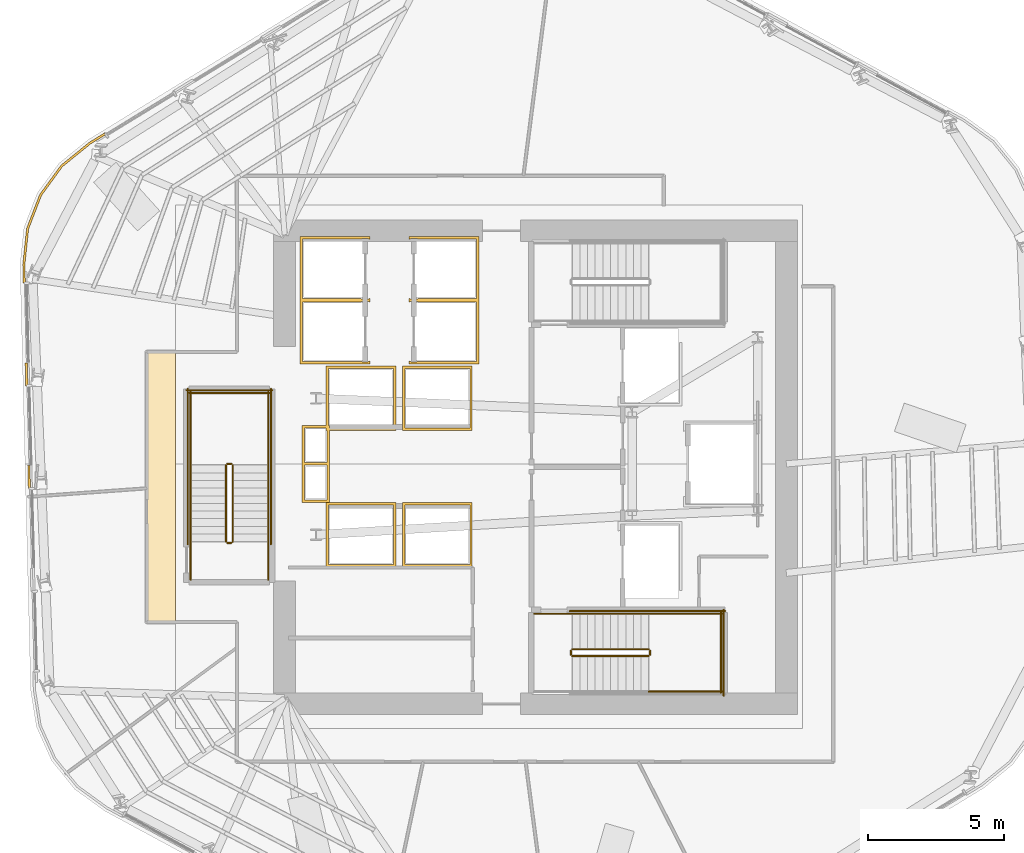
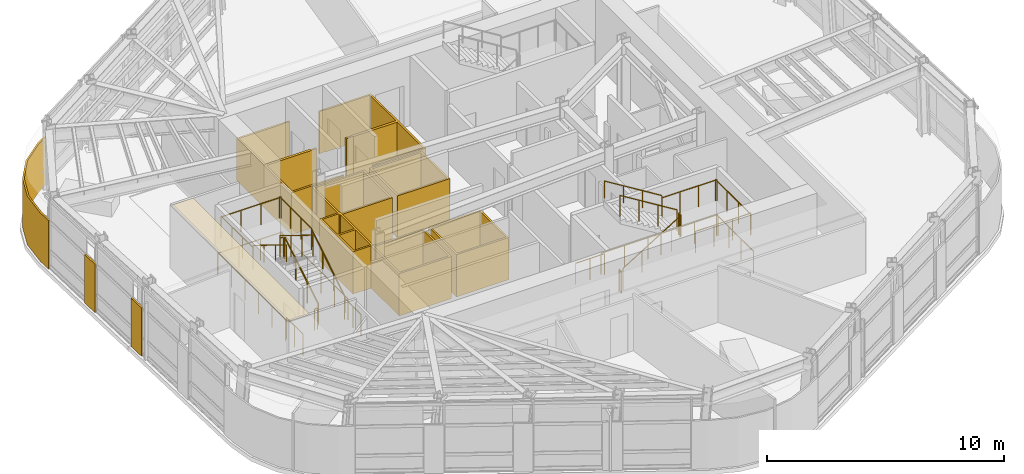
# One storey, part 11 of 15: 25 railings, 10 coverings.
"""IFC4 building model written with IfcOpenShell, lengths in metres."""

from ifc_helpers import new_model, si_unit, direction, frame, origin, origin_2d, place, context, subcontext, project, spatial, polyline, circle, outline, extrude, material, layer, layer_set, type_object, element, save


model = new_model("IFC4")

# Units and contexts
model_context = context("Model", 3, precision=1e-05, world=origin(), true_north=direction((0.0, 1.0)))
body_context = subcontext(model_context, "Body", "Model", "MODEL_VIEW")
ifc_project = project(units=[si_unit("LENGTHUNIT", "METRE"), si_unit("AREAUNIT", "SQUARE_METRE"), si_unit("VOLUMEUNIT", "CUBIC_METRE"), si_unit("PLANEANGLEUNIT", "RADIAN"), si_unit("MASSUNIT", "GRAM", prefix="KILO")], contexts=[model_context])

# Site, building, storey
site_placement = place(None, origin())
site = spatial("IfcSite", under=ifc_project, at=site_placement, CompositionType="ELEMENT")
building_placement = place(site_placement, origin())
building = spatial("IfcBuilding", under=site, at=building_placement, Name="Valkerne Bourse Tower", CompositionType="ELEMENT")
storey_placement = place(building_placement, frame((0.0, 0.0, 159.0)))
storey = spatial("IfcBuildingStorey", under=building, at=storey_placement, Name="L40", CompositionType="ELEMENT", Elevation=159.0)

# Coverings
ifc_material_1 = material(Name="Bronze Anodised Aluminium AA 6063-T6", Category="aluminium")
ifc_layer_1 = layer(ifc_material_1, 0.030029296875)
ifc_layer_set_1 = layer_set([ifc_layer_1], Name="Bronze Anodised Aluminium AA 6063-T6")
covering_type_1 = type_object("IfcCoveringType", Name="COV-CEIL-METAL", PredefinedType="CEILING", material=ifc_layer_set_1)
covering_1_placement = place(storey_placement, frame((0.0, 0.0, 3.22998046875)))
element("IfcCovering", 1, at=covering_1_placement, inside=storey, type_object=covering_type_1, Name="L40 Suspended Ceiling 02", PredefinedType="CEILING", context=body_context, shape_type="SweptSolid", body=[
    extrude(outline(polyline([(32.553955078125, 21.2041015625), (32.553955078125, 31.095947265625), (33.60009765625, 31.095947265625), (33.60009765625, 21.2041015625), (32.553955078125, 21.2041015625)])), origin(), (0.0, 0.0, 1.0), 0.02490234375),
])
ifc_layer_2 = layer(ifc_material_1, 0.06005859375)
ifc_layer_set_2 = layer_set([ifc_layer_2], Name="Bronze Anodised Aluminium AA 6063-T6")
covering_type_2 = type_object("IfcCoveringType", Name="COV-CRN-ALUM", PredefinedType="CLADDING", material=ifc_layer_set_2)
covering_2_placement = place(storey_placement, origin())
element("IfcCovering", 2, at=covering_2_placement, inside=storey, type_object=covering_type_2, Name="L40 Wind-Shaped Corner Aluminium Cladding 11", PredefinedType="CLADDING", context=body_context, shape_type="SweptSolid", body=[
    extrude(outline(polyline([(28.1796875, 26.9326171875), (28.259521484375, 26.934814453125), (28.280517578125, 26.094970703125), (28.20068359375, 26.0927734375), (28.1796875, 26.9326171875)])), origin(), (0.0, 0.0, 1.0), 2.5),
])
covering_3_placement = place(storey_placement, origin())
element("IfcCovering", 3, at=covering_3_placement, inside=storey, type_object=covering_type_2, Name="L40 Wind-Shaped Corner Aluminium Cladding 12", PredefinedType="CLADDING", context=body_context, shape_type="SweptSolid", body=[
    extrude(outline(polyline([(28.085693359375, 30.702392578125), (28.165771484375, 30.70458984375), (28.186767578125, 29.86474609375), (28.106689453125, 29.862548828125), (28.085693359375, 30.702392578125)])), origin(), (0.0, 0.0, 1.0), 2.5),
])
covering_4_placement = place(storey_placement, origin())
element("IfcCovering", 4, at=covering_4_placement, inside=storey, type_object=covering_type_2, Name="L40 Wind-Shaped Corner Aluminium Cladding 13", PredefinedType="CLADDING", context=body_context, shape_type="SweptSolid", body=[
    extrude(outline(polyline([(27.99609375, 34.301513671875), (28.135986328125, 35.632080078125), (28.613037109375, 36.874755859375), (29.3955078125, 37.95166015625), (30.435302734375, 38.79345703125), (31.00537109375, 39.143798828125), (31.047119140625, 39.07568359375), (30.481689453125, 38.72802734375), (29.4541015625, 37.89599609375), (28.68408203125, 36.836181640625), (28.214599609375, 35.613037109375), (28.076416015625, 34.298095703125), (28.093017578125, 33.634521484375), (28.012939453125, 33.632568359375), (27.99609375, 34.301513671875)])), origin(), (0.0, 0.0, 1.0), 2.5),
])
ifc_material_2 = material(Name="Gypsum Shaftwall Liner Board", Category="gypsum")
ifc_layer_3 = layer(ifc_material_2, 0.080078125)
ifc_layer_set_3 = layer_set([ifc_layer_3], Name="Gypsum Shaftwall Liner Board")
covering_type_3 = type_object("IfcCoveringType", Name="COV-SHF-CLAD", PredefinedType="CLADDING", material=ifc_layer_set_3)
covering_5_placement = place(storey_placement, origin())
element("IfcCovering", 5, at=covering_5_placement, inside=storey, type_object=covering_type_3, Name="L40 Hoistway & Riser Shaftwall Liner 01", PredefinedType="CLADDING", context=body_context, shape_type="SweptSolid", body=[
    extrude(outline(polyline([(41.679931640625, 25.580078125), (41.679931640625, 23.219970703125), (39.1201171875, 23.219970703125), (39.1201171875, 25.580078125), (41.679931640625, 25.580078125)]), holes=[polyline([(41.590087890625, 25.489990234375), (39.2099609375, 25.489990234375), (39.2099609375, 23.31005859375), (41.590087890625, 23.31005859375), (41.590087890625, 25.489990234375)])]), origin(), (0.0, 0.0, 1.0), 2.179931640625),
])
covering_6_placement = place(storey_placement, origin())
element("IfcCovering", 6, at=covering_6_placement, inside=storey, type_object=covering_type_3, Name="L40 Hoistway & Riser Shaftwall Liner 02", PredefinedType="CLADDING", context=body_context, shape_type="SweptSolid", body=[
    extrude(outline(polyline([(44.47998046875, 23.219970703125), (41.919921875, 23.219970703125), (41.919921875, 25.580078125), (44.47998046875, 25.580078125), (44.47998046875, 23.219970703125)]), holes=[polyline([(42.010009765625, 25.489990234375), (42.010009765625, 23.31005859375), (44.389892578125, 23.31005859375), (44.389892578125, 25.489990234375), (42.010009765625, 25.489990234375)])]), origin(), (0.0, 0.0, 1.0), 2.179931640625),
])
covering_7_placement = place(storey_placement, origin())
element("IfcCovering", 7, at=covering_7_placement, inside=storey, type_object=covering_type_3, Name="L40 Hoistway & Riser Shaftwall Liner 03", PredefinedType="CLADDING", context=body_context, shape_type="SweptSolid", body=[
    extrude(outline(polyline([(38.239990234375, 28.409912109375), (39.1201171875, 28.409912109375), (39.1201171875, 30.580078125), (41.679931640625, 30.580078125), (41.679931640625, 28.219970703125), (39.239990234375, 28.219970703125), (39.239990234375, 27.0400390625), (39.239990234375, 26.9599609375), (39.239990234375, 25.590087890625), (38.239990234375, 25.590087890625), (38.239990234375, 26.9599609375), (38.239990234375, 27.0400390625), (38.239990234375, 28.409912109375)]), holes=[polyline([(38.330078125, 26.949951171875), (38.330078125, 25.679931640625), (39.14990234375, 25.679931640625), (39.14990234375, 26.949951171875), (38.330078125, 26.949951171875)]), polyline([(39.2099609375, 30.489990234375), (39.2099609375, 28.409912109375), (39.239990234375, 28.409912109375), (39.239990234375, 28.31005859375), (41.590087890625, 28.31005859375), (41.590087890625, 30.489990234375), (39.2099609375, 30.489990234375)]), polyline([(38.330078125, 27.050048828125), (39.14990234375, 27.050048828125), (39.14990234375, 28.219970703125), (39.1201171875, 28.219970703125), (39.1201171875, 28.320068359375), (38.330078125, 28.320068359375), (38.330078125, 27.050048828125)])]), origin(), (0.0, 0.0, 1.0), 2.179931640625),
])
covering_8_placement = place(storey_placement, origin())
element("IfcCovering", 8, at=covering_8_placement, inside=storey, type_object=covering_type_3, Name="L40 Hoistway & Riser Shaftwall Liner 04", PredefinedType="CLADDING", context=body_context, shape_type="SweptSolid", body=[
    extrude(outline(polyline([(38.169921875, 35.330078125), (40.72998046875, 35.330078125), (40.72998046875, 35.232177734375), (40.72216796875, 35.235595703125), (40.6806640625, 35.25048828125), (40.6376953125, 35.261474609375), (40.593994140625, 35.267822265625), (40.550048828125, 35.27001953125), (40.505859375, 35.267822265625), (40.462158203125, 35.261474609375), (40.41943359375, 35.25048828125), (40.3896484375, 35.239990234375), (38.260009765625, 35.239990234375), (38.260009765625, 33.06005859375), (40.3896484375, 33.06005859375), (40.41943359375, 33.04931640625), (40.462158203125, 33.03857421875), (40.505859375, 33.0322265625), (40.550048828125, 33.030029296875), (40.593994140625, 33.0322265625), (40.6376953125, 33.03857421875), (40.6806640625, 33.04931640625), (40.72216796875, 33.064208984375), (40.72998046875, 33.06787109375), (40.72998046875, 33.030029296875), (40.72998046875, 32.969970703125), (40.72998046875, 32.93212890625), (40.72216796875, 32.935791015625), (40.6806640625, 32.95068359375), (40.6376953125, 32.96142578125), (40.593994140625, 32.9677734375), (40.550048828125, 32.969970703125), (40.505859375, 32.9677734375), (40.462158203125, 32.96142578125), (40.41943359375, 32.95068359375), (40.3896484375, 32.93994140625), (38.260009765625, 32.93994140625), (38.260009765625, 30.760009765625), (40.3896484375, 30.760009765625), (40.41943359375, 30.74951171875), (40.462158203125, 30.738525390625), (40.505859375, 30.732177734375), (40.550048828125, 30.72998046875), (40.593994140625, 30.732177734375), (40.6376953125, 30.738525390625), (40.6806640625, 30.74951171875), (40.72216796875, 30.764404296875), (40.72998046875, 30.767822265625), (40.72998046875, 30.669921875), (38.169921875, 30.669921875), (38.169921875, 32.969970703125), (38.169921875, 33.030029296875), (38.169921875, 35.330078125)])), origin(), (0.0, 0.0, 1.0), 2.179931640625),
])
covering_9_placement = place(storey_placement, origin())
element("IfcCovering", 9, at=covering_9_placement, inside=storey, type_object=covering_type_3, Name="L40 Hoistway & Riser Shaftwall Liner 07", PredefinedType="CLADDING", context=body_context, shape_type="SweptSolid", body=[
    extrude(outline(polyline([(44.47998046875, 28.219970703125), (41.919921875, 28.219970703125), (41.919921875, 30.580078125), (44.47998046875, 30.580078125), (44.47998046875, 28.219970703125)]), holes=[polyline([(42.010009765625, 30.489990234375), (42.010009765625, 28.31005859375), (44.389892578125, 28.31005859375), (44.389892578125, 30.489990234375), (42.010009765625, 30.489990234375)])]), origin(), (0.0, 0.0, 1.0), 2.179931640625),
])
covering_10_placement = place(storey_placement, origin())
element("IfcCovering", 10, at=covering_10_placement, inside=storey, type_object=covering_type_3, Name="L40 Hoistway & Riser Shaftwall Liner 09", PredefinedType="CLADDING", context=body_context, shape_type="SweptSolid", body=[
    extrude(outline(polyline([(42.169921875, 33.06787109375), (42.177734375, 33.064208984375), (42.219482421875, 33.04931640625), (42.26220703125, 33.03857421875), (42.305908203125, 33.0322265625), (42.35009765625, 33.030029296875), (42.39404296875, 33.0322265625), (42.437744140625, 33.03857421875), (42.480712890625, 33.04931640625), (42.51025390625, 33.06005859375), (44.639892578125, 33.06005859375), (44.639892578125, 35.239990234375), (42.51025390625, 35.239990234375), (42.480712890625, 35.25048828125), (42.437744140625, 35.261474609375), (42.39404296875, 35.267822265625), (42.35009765625, 35.27001953125), (42.305908203125, 35.267822265625), (42.26220703125, 35.261474609375), (42.219482421875, 35.25048828125), (42.177734375, 35.235595703125), (42.169921875, 35.232177734375), (42.169921875, 35.330078125), (44.72998046875, 35.330078125), (44.72998046875, 33.030029296875), (44.72998046875, 32.969970703125), (44.72998046875, 30.669921875), (42.169921875, 30.669921875), (42.169921875, 30.767822265625), (42.177734375, 30.764404296875), (42.219482421875, 30.74951171875), (42.26220703125, 30.738525390625), (42.305908203125, 30.732177734375), (42.35009765625, 30.72998046875), (42.39404296875, 30.732177734375), (42.437744140625, 30.738525390625), (42.480712890625, 30.74951171875), (42.51025390625, 30.760009765625), (44.639892578125, 30.760009765625), (44.639892578125, 32.93994140625), (42.51025390625, 32.93994140625), (42.480712890625, 32.95068359375), (42.437744140625, 32.96142578125), (42.39404296875, 32.9677734375), (42.35009765625, 32.969970703125), (42.305908203125, 32.9677734375), (42.26220703125, 32.96142578125), (42.219482421875, 32.95068359375), (42.177734375, 32.935791015625), (42.169921875, 32.93212890625), (42.169921875, 32.969970703125), (42.169921875, 33.030029296875), (42.169921875, 33.06787109375)])), origin(), (0.0, 0.0, 1.0), 2.179931640625),
])

# Railings
ifc_material_3 = material(Name="Galvanised Painted Steel", Category="steel")
railing_type_1 = type_object("IfcRailingType", Name="RLG-ST-GUARD-1120", PredefinedType="GUARDRAIL", material=ifc_material_3)
railing_1_placement = place(storey_placement, frame((48.14990234375, 19.949951171875, 0.172607421875)))
element("IfcRailing", 11, at=railing_1_placement, inside=storey, type_object=railing_type_1, Name="L40 ST-1 stair guard 1", PredefinedType="GUARDRAIL", context=body_context, shape_type="SweptSolid", body=[
    extrude(circle(Radius=0.02392578125, at=origin_2d()), frame((0.0, 0.0, 1.09619140625), z_axis=(0.851089632645, 0.0, 0.525020415988), x_axis=(0.0, 1.0, 0.0)), (0.0, 0.0, 1.0), 3.2900390625),
    extrude(circle(Radius=0.02099609375, at=origin_2d()), origin(), (0.0, 0.0, 1.0), 1.072021484375),
    extrude(circle(Radius=0.02099609375, at=origin_2d()), frame((0.933349609375, 0.0, 0.57568359375)), (0.0, 0.0, 1.0), 1.072021484375),
    extrude(circle(Radius=0.02099609375, at=origin_2d()), frame((1.86669921875, 0.0, 1.151611328125)), (0.0, 0.0, 1.0), 1.072021484375),
    extrude(circle(Radius=0.02099609375, at=origin_2d()), frame((2.800048828125, 0.0, 1.727294921875)), (0.0, 0.0, 1.0), 1.072021484375),
])
railing_2_placement = place(storey_placement, frame((51.0, 20.0, 1.89990234375)))
element("IfcRailing", 12, at=railing_2_placement, inside=storey, type_object=railing_type_1, Name="L40 ST-1 stair guard 2", PredefinedType="GUARDRAIL", context=body_context, shape_type="SweptSolid", body=[
    extrude(circle(Radius=0.02392578125, at=origin_2d()), frame((0.0, 0.0, 1.09619140625), z_axis=(0.0, 1.0, 0.0), x_axis=(-1.0, 0.0, 0.0)), (0.0, 0.0, 1.0), 0.14990234375),
    extrude(circle(Radius=0.02099609375, at=origin_2d()), origin(), (0.0, 0.0, 1.0), 1.072021484375),
    extrude(circle(Radius=0.02099609375, at=origin_2d()), frame((0.0, 0.14990234375, 0.0)), (0.0, 0.0, 1.0), 1.072021484375),
])
for number, where, name in (
    (13, (50.949951171875, 18.64990234375, 1.89990234375), "L40 ST-1 stair guard 3"),
    (14, (50.949951171875, 21.5, 1.89990234375), "L40 ST-1 stair guard 4"),
):
    element("IfcRailing", number, at=place(storey_placement, frame(where)), inside=storey, type_object=railing_type_1, Name=name, PredefinedType="GUARDRAIL", context=body_context, shape_type="SweptSolid", body=[
        extrude(circle(Radius=0.02392578125, at=origin_2d()), frame((0.0, 0.0, 1.09619140625), z_axis=(1.0, 0.0, 0.0), x_axis=(0.0, 1.0, 0.0)), (0.0, 0.0, 1.0), 2.699951171875),
        extrude(circle(Radius=0.02099609375, at=origin_2d()), origin(), (0.0, 0.0, 1.0), 1.072021484375),
        extrude(circle(Radius=0.02099609375, at=origin_2d()), frame((0.89990234375, 0.0, 0.0)), (0.0, 0.0, 1.0), 1.072021484375),
        extrude(circle(Radius=0.02099609375, at=origin_2d()), frame((1.800048828125, 0.0, 0.0)), (0.0, 0.0, 1.0), 1.072021484375),
        extrude(circle(Radius=0.02099609375, at=origin_2d()), frame((2.699951171875, 0.0, 0.0)), (0.0, 0.0, 1.0), 1.072021484375),
    ])
railing_3_placement = place(storey_placement, frame((53.60009765625, 18.60009765625, 1.89990234375)))
element("IfcRailing", 15, at=railing_3_placement, inside=storey, type_object=railing_type_1, Name="L40 ST-1 stair guard 5", PredefinedType="GUARDRAIL", context=body_context, shape_type="SweptSolid", body=[
    extrude(circle(Radius=0.02392578125, at=origin_2d()), frame((0.0, 0.0, 1.09619140625), z_axis=(0.0, 1.0, 0.0), x_axis=(-1.0, 0.0, 0.0)), (0.0, 0.0, 1.0), 2.949951171875),
    extrude(circle(Radius=0.02099609375, at=origin_2d()), origin(), (0.0, 0.0, 1.0), 1.072021484375),
    extrude(circle(Radius=0.02099609375, at=origin_2d()), frame((0.0, 0.9833984375, 0.0)), (0.0, 0.0, 1.0), 1.072021484375),
    extrude(circle(Radius=0.02099609375, at=origin_2d()), frame((0.0, 1.966552734375, 0.0)), (0.0, 0.0, 1.0), 1.072021484375),
    extrude(circle(Radius=0.02099609375, at=origin_2d()), frame((0.0, 2.949951171875, 0.0)), (0.0, 0.0, 1.0), 1.072021484375),
])
railing_4_placement = place(storey_placement, frame((50.949951171875, 20.199951171875, 2.07275390625)))
element("IfcRailing", 16, at=railing_4_placement, inside=storey, type_object=railing_type_1, Name="L40 ST-1 stair guard 6", PredefinedType="GUARDRAIL", context=body_context, shape_type="SweptSolid", body=[
    extrude(circle(Radius=0.02392578125, at=origin_2d()), frame((0.0, 0.0, 1.09619140625), z_axis=(-0.851089632645, 0.0, 0.525020415988), x_axis=(0.0, -1.0, 0.0)), (0.0, 0.0, 1.0), 3.2900390625),
    extrude(circle(Radius=0.02099609375, at=origin_2d()), origin(), (0.0, 0.0, 1.0), 1.072021484375),
    extrude(circle(Radius=0.02099609375, at=origin_2d()), frame((-0.933349609375, 0.0, 0.57568359375)), (0.0, 0.0, 1.0), 1.072021484375),
    extrude(circle(Radius=0.02099609375, at=origin_2d()), frame((-1.86669921875, 0.0, 1.151611328125)), (0.0, 0.0, 1.0), 1.072021484375),
    extrude(circle(Radius=0.02099609375, at=origin_2d()), frame((-2.800048828125, 0.0, 1.727294921875)), (0.0, 0.0, 1.0), 1.072021484375),
])
railing_5_placement = place(storey_placement, frame((48.10009765625, 20.0, 0.0)))
element("IfcRailing", 17, at=railing_5_placement, inside=storey, type_object=railing_type_1, Name="L40 ST-1 stair guard 7", PredefinedType="GUARDRAIL", context=body_context, shape_type="SweptSolid", body=[
    extrude(circle(Radius=0.02392578125, at=origin_2d()), frame((0.0, 0.0, 1.09619140625), z_axis=(0.0, 1.0, 0.0), x_axis=(-1.0, 0.0, 0.0)), (0.0, 0.0, 1.0), 0.14990234375),
    extrude(circle(Radius=0.02099609375, at=origin_2d()), origin(), (0.0, 0.0, 1.0), 1.072021484375),
    extrude(circle(Radius=0.02099609375, at=origin_2d()), frame((0.0, 0.14990234375, 0.0)), (0.0, 0.0, 1.0), 1.072021484375),
])
railing_6_placement = place(storey_placement, frame((46.75, 21.5, 0.0)))
element("IfcRailing", 18, at=railing_6_placement, inside=storey, type_object=railing_type_1, Name="L40 ST-1 stair guard 9", PredefinedType="GUARDRAIL", context=body_context, shape_type="SweptSolid", body=[
    extrude(circle(Radius=0.02392578125, at=origin_2d()), frame((0.0, 0.0, 1.09619140625), z_axis=(1.0, 0.0, 0.0), x_axis=(0.0, 1.0, 0.0)), (0.0, 0.0, 1.0), 1.39990234375),
    extrude(circle(Radius=0.02099609375, at=origin_2d()), origin(), (0.0, 0.0, 1.0), 1.072021484375),
    extrude(circle(Radius=0.02099609375, at=origin_2d()), frame((0.699951171875, 0.0, 0.0)), (0.0, 0.0, 1.0), 1.072021484375),
    extrude(circle(Radius=0.02099609375, at=origin_2d()), frame((1.39990234375, 0.0, 0.0)), (0.0, 0.0, 1.0), 1.072021484375),
])
railing_7_placement = place(storey_placement, frame((48.050048828125, 21.60009765625, 0.0)))
element("IfcRailing", 19, at=railing_7_placement, inside=storey, type_object=railing_type_1, Name="L40 ST-1 stair guard 11", PredefinedType="GUARDRAIL", context=body_context, shape_type="SweptSolid", body=[
    extrude(circle(Radius=0.02392578125, at=origin_2d()), frame((0.0, 0.0, 1.09619140625), z_axis=(1.0, 0.0, 0.0), x_axis=(0.0, 1.0, 0.0)), (0.0, 0.0, 1.0), 5.699951171875),
    extrude(circle(Radius=0.02099609375, at=origin_2d()), origin(), (0.0, 0.0, 1.0), 1.072021484375),
    extrude(circle(Radius=0.02099609375, at=origin_2d()), frame((1.139892578125, 0.0, 0.0)), (0.0, 0.0, 1.0), 1.072021484375),
    extrude(circle(Radius=0.02099609375, at=origin_2d()), frame((2.280029296875, 0.0, 0.0)), (0.0, 0.0, 1.0), 1.072021484375),
    extrude(circle(Radius=0.02099609375, at=origin_2d()), frame((3.419921875, 0.0, 0.0)), (0.0, 0.0, 1.0), 1.072021484375),
    extrude(circle(Radius=0.02099609375, at=origin_2d()), frame((4.56005859375, 0.0, 0.0)), (0.0, 0.0, 1.0), 1.072021484375),
    extrude(circle(Radius=0.02099609375, at=origin_2d()), frame((5.699951171875, 0.0, 0.0)), (0.0, 0.0, 1.0), 1.072021484375),
])
railing_8_placement = place(storey_placement, frame((53.699951171875, 18.5, 0.0)))
element("IfcRailing", 20, at=railing_8_placement, inside=storey, type_object=railing_type_1, Name="L40 ST-1 stair guard 12", PredefinedType="GUARDRAIL", context=body_context, shape_type="SweptSolid", body=[
    extrude(circle(Radius=0.02392578125, at=origin_2d()), frame((0.0, 0.0, 1.09619140625), z_axis=(0.0, 1.0, 0.0), x_axis=(-1.0, 0.0, 0.0)), (0.0, 0.0, 1.0), 3.14990234375),
    extrude(circle(Radius=0.02099609375, at=origin_2d()), origin(), (0.0, 0.0, 1.0), 1.072021484375),
    extrude(circle(Radius=0.02099609375, at=origin_2d()), frame((0.0, 1.050048828125, 0.0)), (0.0, 0.0, 1.0), 1.072021484375),
    extrude(circle(Radius=0.02099609375, at=origin_2d()), frame((0.0, 2.099853515625, 0.0)), (0.0, 0.0, 1.0), 1.072021484375),
    extrude(circle(Radius=0.02099609375, at=origin_2d()), frame((0.0, 3.14990234375, 0.0)), (0.0, 0.0, 1.0), 1.072021484375),
])
railing_9_placement = place(storey_placement, frame((35.699951171875, 24.14990234375, 0.172607421875)))
element("IfcRailing", 21, at=railing_9_placement, inside=storey, type_object=railing_type_1, Name="L40 ST-3 stair guard 1", PredefinedType="GUARDRAIL", context=body_context, shape_type="SweptSolid", body=[
    extrude(circle(Radius=0.02392578125, at=origin_2d()), frame((0.0, 0.0, 1.09619140625), z_axis=(0.0, 0.851089632645, 0.525020415988), x_axis=(-1.0, 0.0, 0.0)), (0.0, 0.0, 1.0), 3.2900390625),
    extrude(circle(Radius=0.02099609375, at=origin_2d()), origin(), (0.0, 0.0, 1.0), 1.072021484375),
    extrude(circle(Radius=0.02099609375, at=origin_2d()), frame((0.0, 0.933349609375, 0.57568359375)), (0.0, 0.0, 1.0), 1.072021484375),
    extrude(circle(Radius=0.02099609375, at=origin_2d()), frame((0.0, 1.86669921875, 1.151611328125)), (0.0, 0.0, 1.0), 1.072021484375),
    extrude(circle(Radius=0.02099609375, at=origin_2d()), frame((0.0, 2.800048828125, 1.727294921875)), (0.0, 0.0, 1.0), 1.072021484375),
])
railing_10_placement = place(storey_placement, frame((35.64990234375, 27.0, 1.89990234375)))
element("IfcRailing", 22, at=railing_10_placement, inside=storey, type_object=railing_type_1, Name="L40 ST-3 stair guard 2", PredefinedType="GUARDRAIL", context=body_context, shape_type="SweptSolid", body=[
    extrude(circle(Radius=0.02392578125, at=origin_2d()), frame((0.0, 0.0, 1.09619140625), z_axis=(-1.0, 0.0, 0.0), x_axis=(0.0, -1.0, 0.0)), (0.0, 0.0, 1.0), 0.14990234375),
    extrude(circle(Radius=0.02099609375, at=origin_2d()), origin(), (0.0, 0.0, 1.0), 1.072021484375),
    extrude(circle(Radius=0.02099609375, at=origin_2d()), frame((-0.14990234375, 0.0, 0.0)), (0.0, 0.0, 1.0), 1.072021484375),
])
for number, where, name in (
    (23, (37.0, 26.949951171875, 1.89990234375), "L40 ST-3 stair guard 3"),
    (24, (34.14990234375, 26.949951171875, 1.89990234375), "L40 ST-3 stair guard 4"),
):
    element("IfcRailing", number, at=place(storey_placement, frame(where)), inside=storey, type_object=railing_type_1, Name=name, PredefinedType="GUARDRAIL", context=body_context, shape_type="SweptSolid", body=[
        extrude(circle(Radius=0.02392578125, at=origin_2d()), frame((0.0, 0.0, 1.09619140625), z_axis=(0.0, 1.0, 0.0), x_axis=(-1.0, 0.0, 0.0)), (0.0, 0.0, 1.0), 2.699951171875),
        extrude(circle(Radius=0.02099609375, at=origin_2d()), origin(), (0.0, 0.0, 1.0), 1.072021484375),
        extrude(circle(Radius=0.02099609375, at=origin_2d()), frame((0.0, 0.89990234375, 0.0)), (0.0, 0.0, 1.0), 1.072021484375),
        extrude(circle(Radius=0.02099609375, at=origin_2d()), frame((0.0, 1.800048828125, 0.0)), (0.0, 0.0, 1.0), 1.072021484375),
        extrude(circle(Radius=0.02099609375, at=origin_2d()), frame((0.0, 2.699951171875, 0.0)), (0.0, 0.0, 1.0), 1.072021484375),
    ])
railing_11_placement = place(storey_placement, frame((37.050048828125, 29.60009765625, 1.89990234375)))
element("IfcRailing", 25, at=railing_11_placement, inside=storey, type_object=railing_type_1, Name="L40 ST-3 stair guard 5", PredefinedType="GUARDRAIL", context=body_context, shape_type="SweptSolid", body=[
    extrude(circle(Radius=0.02392578125, at=origin_2d()), frame((0.0, 0.0, 1.09619140625), z_axis=(-1.0, 0.0, 0.0), x_axis=(0.0, -1.0, 0.0)), (0.0, 0.0, 1.0), 2.949951171875),
    extrude(circle(Radius=0.02099609375, at=origin_2d()), origin(), (0.0, 0.0, 1.0), 1.072021484375),
    extrude(circle(Radius=0.02099609375, at=origin_2d()), frame((-0.9833984375, 0.0, 0.0)), (0.0, 0.0, 1.0), 1.072021484375),
    extrude(circle(Radius=0.02099609375, at=origin_2d()), frame((-1.966552734375, 0.0, 0.0)), (0.0, 0.0, 1.0), 1.072021484375),
    extrude(circle(Radius=0.02099609375, at=origin_2d()), frame((-2.949951171875, 0.0, 0.0)), (0.0, 0.0, 1.0), 1.072021484375),
])
railing_12_placement = place(storey_placement, frame((35.449951171875, 26.949951171875, 2.07275390625)))
element("IfcRailing", 26, at=railing_12_placement, inside=storey, type_object=railing_type_1, Name="L40 ST-3 stair guard 6", PredefinedType="GUARDRAIL", context=body_context, shape_type="SweptSolid", body=[
    extrude(circle(Radius=0.02392578125, at=origin_2d()), frame((0.0, 0.0, 1.09619140625), z_axis=(0.0, -0.851089632645, 0.525020415988), x_axis=(1.0, 0.0, 0.0)), (0.0, 0.0, 1.0), 3.2900390625),
    extrude(circle(Radius=0.02099609375, at=origin_2d()), origin(), (0.0, 0.0, 1.0), 1.072021484375),
    extrude(circle(Radius=0.02099609375, at=origin_2d()), frame((0.0, -0.933349609375, 0.57568359375)), (0.0, 0.0, 1.0), 1.072021484375),
    extrude(circle(Radius=0.02099609375, at=origin_2d()), frame((0.0, -1.86669921875, 1.151611328125)), (0.0, 0.0, 1.0), 1.072021484375),
    extrude(circle(Radius=0.02099609375, at=origin_2d()), frame((0.0, -2.800048828125, 1.727294921875)), (0.0, 0.0, 1.0), 1.072021484375),
])
railing_13_placement = place(storey_placement, frame((35.64990234375, 24.10009765625, 0.0)))
element("IfcRailing", 27, at=railing_13_placement, inside=storey, type_object=railing_type_1, Name="L40 ST-3 stair guard 7", PredefinedType="GUARDRAIL", context=body_context, shape_type="SweptSolid", body=[
    extrude(circle(Radius=0.02392578125, at=origin_2d()), frame((0.0, 0.0, 1.09619140625), z_axis=(-1.0, 0.0, 0.0), x_axis=(0.0, -1.0, 0.0)), (0.0, 0.0, 1.0), 0.14990234375),
    extrude(circle(Radius=0.02099609375, at=origin_2d()), origin(), (0.0, 0.0, 1.0), 1.072021484375),
    extrude(circle(Radius=0.02099609375, at=origin_2d()), frame((-0.14990234375, 0.0, 0.0)), (0.0, 0.0, 1.0), 1.072021484375),
])
for number, where, name in (
    (28, (37.0, 22.75, 0.0), "L40 ST-3 stair guard 8"),
    (29, (34.14990234375, 22.75, 0.0), "L40 ST-3 stair guard 9"),
):
    element("IfcRailing", number, at=place(storey_placement, frame(where)), inside=storey, type_object=railing_type_1, Name=name, PredefinedType="GUARDRAIL", context=body_context, shape_type="SweptSolid", body=[
        extrude(circle(Radius=0.02392578125, at=origin_2d()), frame((0.0, 0.0, 1.09619140625), z_axis=(0.0, 1.0, 0.0), x_axis=(-1.0, 0.0, 0.0)), (0.0, 0.0, 1.0), 1.39990234375),
        extrude(circle(Radius=0.02099609375, at=origin_2d()), origin(), (0.0, 0.0, 1.0), 1.072021484375),
        extrude(circle(Radius=0.02099609375, at=origin_2d()), frame((0.0, 0.699951171875, 0.0)), (0.0, 0.0, 1.0), 1.072021484375),
        extrude(circle(Radius=0.02099609375, at=origin_2d()), frame((0.0, 1.39990234375, 0.0)), (0.0, 0.0, 1.0), 1.072021484375),
    ])
for number, where, name in (
    (30, (37.10009765625, 24.050048828125, 0.0), "L40 ST-3 stair guard 10"),
    (31, (34.050048828125, 24.050048828125, 0.0), "L40 ST-3 stair guard 11"),
):
    element("IfcRailing", number, at=place(storey_placement, frame(where)), inside=storey, type_object=railing_type_1, Name=name, PredefinedType="GUARDRAIL", context=body_context, shape_type="SweptSolid", body=[
        extrude(circle(Radius=0.02392578125, at=origin_2d()), frame((0.0, 0.0, 1.09619140625), z_axis=(0.0, 1.0, 0.0), x_axis=(-1.0, 0.0, 0.0)), (0.0, 0.0, 1.0), 5.699951171875),
        extrude(circle(Radius=0.02099609375, at=origin_2d()), origin(), (0.0, 0.0, 1.0), 1.072021484375),
        extrude(circle(Radius=0.02099609375, at=origin_2d()), frame((0.0, 1.139892578125, 0.0)), (0.0, 0.0, 1.0), 1.072021484375),
        extrude(circle(Radius=0.02099609375, at=origin_2d()), frame((0.0, 2.280029296875, 0.0)), (0.0, 0.0, 1.0), 1.072021484375),
        extrude(circle(Radius=0.02099609375, at=origin_2d()), frame((0.0, 3.419921875, 0.0)), (0.0, 0.0, 1.0), 1.072021484375),
        extrude(circle(Radius=0.02099609375, at=origin_2d()), frame((0.0, 4.56005859375, 0.0)), (0.0, 0.0, 1.0), 1.072021484375),
        extrude(circle(Radius=0.02099609375, at=origin_2d()), frame((0.0, 5.699951171875, 0.0)), (0.0, 0.0, 1.0), 1.072021484375),
    ])
railing_14_placement = place(storey_placement, frame((37.14990234375, 29.699951171875, 0.0)))
element("IfcRailing", 32, at=railing_14_placement, inside=storey, type_object=railing_type_1, Name="L40 ST-3 stair guard 12", PredefinedType="GUARDRAIL", context=body_context, shape_type="SweptSolid", body=[
    extrude(circle(Radius=0.02392578125, at=origin_2d()), frame((0.0, 0.0, 1.09619140625), z_axis=(-1.0, 0.0, 0.0), x_axis=(0.0, -1.0, 0.0)), (0.0, 0.0, 1.0), 3.14990234375),
    extrude(circle(Radius=0.02099609375, at=origin_2d()), origin(), (0.0, 0.0, 1.0), 1.072021484375),
    extrude(circle(Radius=0.02099609375, at=origin_2d()), frame((-1.050048828125, 0.0, 0.0)), (0.0, 0.0, 1.0), 1.072021484375),
    extrude(circle(Radius=0.02099609375, at=origin_2d()), frame((-2.099853515625, 0.0, 0.0)), (0.0, 0.0, 1.0), 1.072021484375),
    extrude(circle(Radius=0.02099609375, at=origin_2d()), frame((-3.14990234375, 0.0, 0.0)), (0.0, 0.0, 1.0), 1.072021484375),
])
ifc_material_4 = material(Name="Stainless Steel AISI 316", Category="steel")
railing_type_2 = type_object("IfcRailingType", Name="RLG-ST-HANDRAIL-900", PredefinedType="HANDRAIL", material=ifc_material_4)
railing_15_placement = place(storey_placement, frame((50.949951171875, 21.5, 2.245361328125)))
element("IfcRailing", 33, at=railing_15_placement, inside=storey, type_object=railing_type_2, Name="L40 ST-1 stair handrail 2", PredefinedType="HANDRAIL", context=body_context, shape_type="SweptSolid", body=[
    extrude(circle(Radius=0.02392578125, at=origin_2d()), frame((0.0, 0.0, 0.8759765625), z_axis=(-0.851089632645, 0.0, 0.525020415988), x_axis=(0.0, -1.0, 0.0)), (0.0, 0.0, 1.0), 3.2900390625),
    extrude(circle(Radius=0.02099609375, at=origin_2d()), origin(), (0.0, 0.0, 1.0), 0.851806640625),
    extrude(circle(Radius=0.02099609375, at=origin_2d()), frame((-0.933349609375, 0.0, 0.57568359375)), (0.0, 0.0, 1.0), 0.851806640625),
    extrude(circle(Radius=0.02099609375, at=origin_2d()), frame((-1.86669921875, 0.0, 1.151611328125)), (0.0, 0.0, 1.0), 0.851806640625),
    extrude(circle(Radius=0.02099609375, at=origin_2d()), frame((-2.800048828125, 0.0, 1.727294921875)), (0.0, 0.0, 1.0), 0.851806640625),
])
railing_16_placement = place(storey_placement, frame((37.0, 24.14990234375, 0.345458984375)))
element("IfcRailing", 34, at=railing_16_placement, inside=storey, type_object=railing_type_2, Name="L40 ST-3 stair handrail 1", PredefinedType="HANDRAIL", context=body_context, shape_type="SweptSolid", body=[
    extrude(circle(Radius=0.02392578125, at=origin_2d()), frame((0.0, 0.0, 0.8759765625), z_axis=(0.0, 0.851089632645, 0.525020415988), x_axis=(-1.0, 0.0, 0.0)), (0.0, 0.0, 1.0), 3.2900390625),
    extrude(circle(Radius=0.02099609375, at=origin_2d()), origin(), (0.0, 0.0, 1.0), 0.851806640625),
    extrude(circle(Radius=0.02099609375, at=origin_2d()), frame((0.0, 0.933349609375, 0.57568359375)), (0.0, 0.0, 1.0), 0.851806640625),
    extrude(circle(Radius=0.02099609375, at=origin_2d()), frame((0.0, 1.86669921875, 1.151611328125)), (0.0, 0.0, 1.0), 0.851806640625),
    extrude(circle(Radius=0.02099609375, at=origin_2d()), frame((0.0, 2.800048828125, 1.727294921875)), (0.0, 0.0, 1.0), 0.851806640625),
])
railing_17_placement = place(storey_placement, frame((34.14990234375, 26.949951171875, 2.245361328125)))
element("IfcRailing", 35, at=railing_17_placement, inside=storey, type_object=railing_type_2, Name="L40 ST-3 stair handrail 2", PredefinedType="HANDRAIL", context=body_context, shape_type="SweptSolid", body=[
    extrude(circle(Radius=0.02392578125, at=origin_2d()), frame((0.0, 0.0, 0.8759765625), z_axis=(0.0, -0.851089632645, 0.525020415988), x_axis=(1.0, 0.0, 0.0)), (0.0, 0.0, 1.0), 3.2900390625),
    extrude(circle(Radius=0.02099609375, at=origin_2d()), origin(), (0.0, 0.0, 1.0), 0.851806640625),
    extrude(circle(Radius=0.02099609375, at=origin_2d()), frame((0.0, -0.933349609375, 0.57568359375)), (0.0, 0.0, 1.0), 0.851806640625),
    extrude(circle(Radius=0.02099609375, at=origin_2d()), frame((0.0, -1.86669921875, 1.151611328125)), (0.0, 0.0, 1.0), 0.851806640625),
    extrude(circle(Radius=0.02099609375, at=origin_2d()), frame((0.0, -2.800048828125, 1.727294921875)), (0.0, 0.0, 1.0), 0.851806640625),
])

save(model, "model.ifc")
